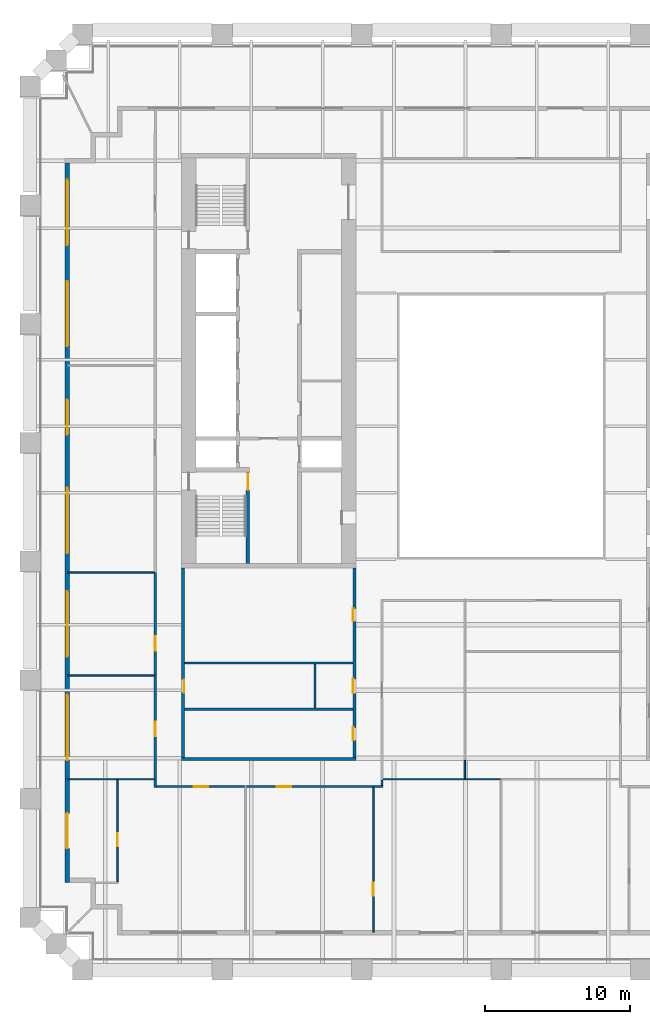
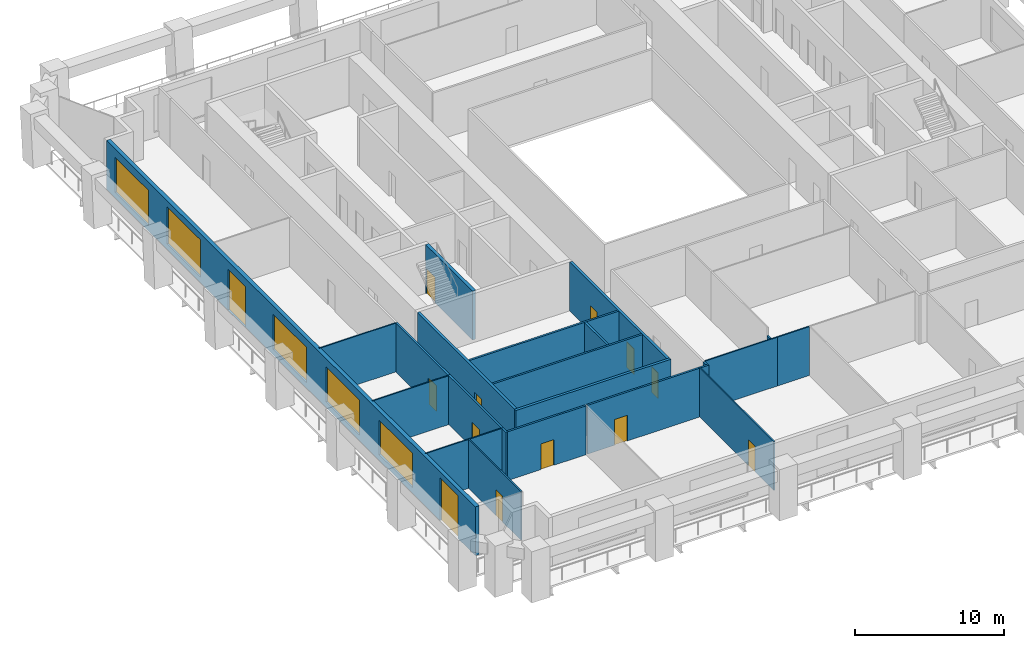
# One storey, part 3 of 9: 24 walls, 13 doors, 5 windows, 18 openings.
"""IFC4 building model written with IfcOpenShell, lengths in metres."""

from ifc_helpers import new_model, si_unit, direction, frame, frame_2d, origin, place, context, subcontext, project, spatial, rectangle, extrude, material, layer, layer_set, type_object, element, fill, save


model = new_model("IFC4")

# Units and contexts
model_context = context("Model", 3, precision=1e-05, world=origin(), true_north=direction((0.0, 1.0)))
body_context = subcontext(model_context, "Body", "Model", "MODEL_VIEW")
ifc_project = project(units=[si_unit("LENGTHUNIT", "METRE"), si_unit("AREAUNIT", "SQUARE_METRE"), si_unit("VOLUMEUNIT", "CUBIC_METRE"), si_unit("PLANEANGLEUNIT", "RADIAN"), si_unit("MASSUNIT", "GRAM", prefix="KILO")], contexts=[model_context])

# Site, building, storey
site_placement = place(None, origin())
site = spatial("IfcSite", under=ifc_project, at=site_placement, CompositionType="ELEMENT")
building_placement = place(site_placement, origin())
building = spatial("IfcBuilding", under=site, at=building_placement, Name="Ogive Exchange Tower", CompositionType="ELEMENT")
storey_placement = place(building_placement, frame((0.0, 0.0, 60.60009765625)))
storey = spatial("IfcBuildingStorey", under=building, at=storey_placement, Name="L12", CompositionType="ELEMENT", Elevation=60.60009765625)

# Walls
ifc_material_1 = material(Name="Gypsum board partition")
ifc_layer_1 = layer(ifc_material_1, 0.14990234375)
ifc_layer_set_1 = layer_set([ifc_layer_1], Name="Core room partition 150 gypsum")
wall_type_1 = type_object("IfcWallType", Name="Core room partition 150 gypsum", PredefinedType="PARTITIONING", material=ifc_layer_set_1)
for number, where, z_axis, x_axis, name in (
    (1, (-21.800048828125, -9.300048828125, 0.0), (0.0, 0.0, 1.0), (1.0, 0.0, 0.0), "W annex S cross wall"),
    (2, (-21.800048828125, -12.47509765625, 0.0), (0.0, 0.0, 1.0), (1.0, 0.0, 0.0), "W annex S wc strip wall 00"),
):
    element("IfcWall", number, at=place(storey_placement, frame(where, z_axis=z_axis, x_axis=x_axis)), inside=storey, type_object=wall_type_1, Name=name, PredefinedType="PARTITIONING", context=body_context, shape_type="SweptSolid", body=[
        extrude(rectangle(XDim=11.60009765625, YDim=0.14990234375, at=frame_2d((5.800048828125, 0.0))), origin(), (0.0, 0.0, 1.0), 4.0),
    ])
wall_1_placement = place(storey_placement, frame((-12.800048828125, -12.39990234375, 0.0), z_axis=(0.0, 0.0, 1.0), x_axis=(0.0, 1.0, 0.0)))
element("IfcWall", 3, at=wall_1_placement, inside=storey, type_object=wall_type_1, Name="W annex S wc partition 00", PredefinedType="PARTITIONING", context=body_context, shape_type="SweptSolid", body=[
    extrude(rectangle(XDim=3.02490234375, YDim=0.14990234375, at=frame_2d((1.512451171875, 0.0))), origin(), (0.0, 0.0, 1.0), 4.0),
])
ifc_material_2 = material(Name="Fire partition EI 60 150")
ifc_layer_2 = layer(ifc_material_2, 0.14990234375)
ifc_layer_set_2 = layer_set([ifc_layer_2], Name="Fire partition EI 60 150")
wall_type_2 = type_object("IfcWallType", Name="Fire partition EI 60 150", PredefinedType="PARTITIONING", material=ifc_layer_set_2)
wall_2_placement = place(storey_placement, frame((-23.800048828125, -17.875, 0.0), z_axis=(0.0, 0.0, 1.0), x_axis=(0.0, 1.0, 0.0)))
element("IfcWall", 4, at=wall_2_placement, inside=storey, type_object=wall_type_2, Name="L12-PWL-004", PredefinedType="PARTITIONING", context=body_context, shape_type="SweptSolid", body=[
    extrude(rectangle(XDim=0.5849609375, YDim=0.14990234375, at=frame_2d((0.29248046875, 0.0))), origin(), (0.0, 0.0, 1.0), 4.0),
])

# Wall, opening, door
wall_3_placement = place(storey_placement, frame((-23.800048828125, -17.2900390625, 0.0), z_axis=(0.0, 0.0, 1.0), x_axis=(0.0, 1.0, 0.0)))
wall_3 = element("IfcWall", 5, at=wall_3_placement, inside=storey, type_object=wall_type_2, Name="L12-PWL-006", PredefinedType="PARTITIONING", context=body_context, shape_type="SweptSolid", body=[
    extrude(rectangle(XDim=7.169921875, YDim=0.14990234375, at=frame_2d((3.5849609375, 0.0))), origin(), (0.0, 0.0, 1.0), 4.0),
])
opening_1_placement = place(wall_3_placement, frame((2.969970703125, 0.0, 0.0)))
opening_1 = element("IfcOpeningElement", 6, at=opening_1_placement, cuts=wall_3, Name="Opening L12-I13", PredefinedType="OPENING", context=body_context, shape_type="SweptSolid", body=[
    extrude(rectangle(XDim=1.0, YDim=2.10009765625, at=frame_2d((0.5, 1.050048828125))), frame((0.0, 0.0849609375, 0.0), z_axis=(0.0, -1.0, 0.0), x_axis=(1.0, 0.0, 0.0)), (0.0, 0.0, 1.0), 0.169921875),
])
ifc_material_3 = material(Name="Fire door FD 30S 1000 x 2100")
door_type_1 = type_object("IfcDoorType", Name="Fire door FD 30S 1000 x 2100", OperationType="NOTDEFINED", PredefinedType="DOOR", material=ifc_material_3)
door_1_placement = place(opening_1_placement, origin())
door_1 = element("IfcDoor", 7, at=door_1_placement, inside=storey, type_object=door_type_1, Name="L12-IDR-013", ObjectType="DT3", OperationType="SINGLE_SWING_LEFT", OverallHeight=2.10009765625, OverallWidth=1.0, PredefinedType="DOOR", context=body_context, shape_type="SweptSolid", body=[
    extrude(rectangle(XDim=1.0, YDim=2.10009765625, at=frame_2d((0.5, 1.050048828125))), frame((0.0, 0.02490234375, 0.0), z_axis=(0.0, -1.0, 0.0), x_axis=(1.0, 0.0, 0.0)), (0.0, 0.0, 1.0), 0.050048828125),
])
fill(opening_1, door_1)

wall_4_placement = place(storey_placement, frame((-23.800048828125, -10.1201171875, 0.0), z_axis=(0.0, 0.0, 1.0), x_axis=(0.0, 1.0, 0.0)))
wall_4 = element("IfcWall", 8, at=wall_4_placement, inside=storey, type_object=wall_type_2, Name="L12-PWL-008", PredefinedType="PARTITIONING", context=body_context, shape_type="SweptSolid", body=[
    extrude(rectangle(XDim=7.06005859375, YDim=0.14990234375, at=frame_2d((3.530029296875, 0.0))), origin(), (0.0, 0.0, 1.0), 4.0),
])
opening_2_placement = place(wall_4_placement, frame((1.659912109375, 0.0, 0.0)))
opening_2 = element("IfcOpeningElement", 9, at=opening_2_placement, cuts=wall_4, Name="Opening L12-I12", PredefinedType="OPENING", context=body_context, shape_type="SweptSolid", body=[
    extrude(rectangle(XDim=1.0, YDim=2.10009765625, at=frame_2d((0.5, 1.050048828125))), frame((0.0, 0.0849609375, 0.0), z_axis=(0.0, -1.0, 0.0), x_axis=(1.0, 0.0, 0.0)), (0.0, 0.0, 1.0), 0.169921875),
])
door_2_placement = place(opening_2_placement, origin())
door_2 = element("IfcDoor", 10, at=door_2_placement, inside=storey, type_object=door_type_1, Name="L12-IDR-012", ObjectType="DT3", OperationType="SINGLE_SWING_RIGHT", OverallHeight=2.10009765625, OverallWidth=1.0, PredefinedType="DOOR", context=body_context, shape_type="SweptSolid", body=[
    extrude(rectangle(XDim=1.0, YDim=2.10009765625, at=frame_2d((0.5, 1.050048828125))), frame((0.0, 0.02490234375, 0.0), z_axis=(0.0, -1.0, 0.0), x_axis=(1.0, 0.0, 0.0)), (0.0, 0.0, 1.0), 0.050048828125),
])
fill(opening_2, door_2)

wall_5_placement = place(storey_placement, frame((-17.64990234375, -17.800048828125, 0.0), z_axis=(0.0, 0.0, 1.0), x_axis=(-1.0, 0.0, 0.0)))
wall_5 = element("IfcWall", 11, at=wall_5_placement, inside=storey, type_object=wall_type_2, Name="L12-PWL-015", PredefinedType="PARTITIONING", context=body_context, shape_type="SweptSolid", body=[
    extrude(rectangle(XDim=6.0751953125, YDim=0.14990234375, at=frame_2d((3.03759765625, 0.0))), origin(), (0.0, 0.0, 1.0), 4.0),
])
opening_3_placement = place(wall_5_placement, frame((2.5, 0.0, 0.0)))
opening_3 = element("IfcOpeningElement", 12, at=opening_3_placement, cuts=wall_5, Name="Opening L12-I20", PredefinedType="OPENING", context=body_context, shape_type="SweptSolid", body=[
    extrude(rectangle(XDim=1.0, YDim=2.10009765625, at=frame_2d((0.5, 1.050048828125))), frame((0.0, 0.0849609375, 0.0), z_axis=(0.0, -1.0, 0.0), x_axis=(1.0, 0.0, 0.0)), (0.0, 0.0, 1.0), 0.169921875),
])
door_3_placement = place(opening_3_placement, origin())
door_3 = element("IfcDoor", 13, at=door_3_placement, inside=storey, type_object=door_type_1, Name="L12-IDR-020", ObjectType="DT3", OperationType="SINGLE_SWING_RIGHT", OverallHeight=2.10009765625, OverallWidth=1.0, PredefinedType="DOOR", context=body_context, shape_type="SweptSolid", body=[
    extrude(rectangle(XDim=1.0, YDim=2.10009765625, at=frame_2d((0.5, 1.050048828125))), frame((0.0, 0.02490234375, 0.0), z_axis=(0.0, -1.0, 0.0), x_axis=(1.0, 0.0, 0.0)), (0.0, 0.0, 1.0), 0.050048828125),
])
fill(opening_3, door_3)

wall_6_placement = place(storey_placement, frame((-8.85009765625, -17.800048828125, 0.0), z_axis=(0.0, 0.0, 1.0), x_axis=(-1.0, 0.0, 0.0)))
wall_6 = element("IfcWall", 14, at=wall_6_placement, inside=storey, type_object=wall_type_2, Name="L12-PWL-017", PredefinedType="PARTITIONING", context=body_context, shape_type="SweptSolid", body=[
    extrude(rectangle(XDim=8.699951171875, YDim=0.14990234375, at=frame_2d((4.35009765625, 0.0))), origin(), (0.0, 0.0, 1.0), 4.0),
])
opening_4_placement = place(wall_6_placement, frame((5.60009765625, 0.0, 0.0)))
opening_4 = element("IfcOpeningElement", 15, at=opening_4_placement, cuts=wall_6, Name="Opening L12-I19", PredefinedType="OPENING", context=body_context, shape_type="SweptSolid", body=[
    extrude(rectangle(XDim=1.0, YDim=2.10009765625, at=frame_2d((0.5, 1.050048828125))), frame((0.0, 0.0849609375, 0.0), z_axis=(0.0, -1.0, 0.0), x_axis=(1.0, 0.0, 0.0)), (0.0, 0.0, 1.0), 0.169921875),
])
door_4_placement = place(opening_4_placement, origin())
door_4 = element("IfcDoor", 16, at=door_4_placement, inside=storey, type_object=door_type_1, Name="L12-IDR-019", ObjectType="DT3", OperationType="SINGLE_SWING_LEFT", OverallHeight=2.10009765625, OverallWidth=1.0, PredefinedType="DOOR", context=body_context, shape_type="SweptSolid", body=[
    extrude(rectangle(XDim=1.0, YDim=2.10009765625, at=frame_2d((0.5, 1.050048828125))), frame((0.0, 0.02490234375, 0.0), z_axis=(0.0, -1.0, 0.0), x_axis=(1.0, 0.0, 0.0)), (0.0, 0.0, 1.0), 0.050048828125),
])
fill(opening_4, door_4)

# Walls
wall_7_placement = place(storey_placement, frame((-8.125, -17.800048828125, 0.0), z_axis=(0.0, 0.0, 1.0), x_axis=(-1.0, 0.0, 0.0)))
element("IfcWall", 17, at=wall_7_placement, inside=storey, type_object=wall_type_2, Name="L12-PWL-019", PredefinedType="PARTITIONING", context=body_context, shape_type="SweptSolid", body=[
    extrude(rectangle(XDim=0.625, YDim=0.14990234375, at=frame_2d((0.3125, 0.0))), origin(), (0.0, 0.0, 1.0), 4.0),
])
wall_8_placement = place(storey_placement, frame((-8.199951171875, -17.340087890625, 0.0), z_axis=(0.0, 0.0, 1.0), x_axis=(0.0, -1.0, 0.0)))
element("IfcWall", 18, at=wall_8_placement, inside=storey, type_object=wall_type_2, Name="L12-PWL-020", PredefinedType="PARTITIONING", context=body_context, shape_type="SweptSolid", body=[
    extrude(rectangle(XDim=0.385009765625, YDim=0.14990234375, at=frame_2d((0.1923828125, 0.0))), origin(), (0.0, 0.0, 1.0), 4.0),
])

# Wall, openings, doors, windows
ifc_material_4 = material(Name="Precast concrete C40/50", Category="concrete")
ifc_layer_3 = layer(ifc_material_4, 0.300048828125)
ifc_layer_set_3 = layer_set([ifc_layer_3], Name="Limestone-faced wall 300")
wall_type_3 = type_object("IfcWallType", Name="Limestone-faced wall 300", PredefinedType="STANDARD", material=ifc_layer_set_3)
wall_9_placement = place(storey_placement, frame((-29.85009765625, 25.10009765625, 0.0), z_axis=(0.0, 0.0, 1.0), x_axis=(0.0, -1.0, 0.0)))
wall_9 = element("IfcWall", 19, at=wall_9_placement, inside=storey, type_object=wall_type_3, Name="External wall W4", PredefinedType="STANDARD", context=body_context, shape_type="SweptSolid", body=[
    extrude(rectangle(XDim=49.5, YDim=0.300048828125, at=frame_2d((24.75, 0.0))), origin(), (0.0, 0.0, 1.0), 4.0),
])
opening_5_placement = place(wall_9_placement, frame((1.156982421875, 0.0, 0.449951171875)))
opening_5 = element("IfcOpeningElement", 20, at=opening_5_placement, cuts=wall_9, Name="Opening W1D", PredefinedType="OPENING", context=body_context, shape_type="SweptSolid", body=[
    extrude(rectangle(XDim=4.5, YDim=2.875, at=frame_2d((2.25, 1.4375))), frame((0.0, 0.159912109375, 0.0), z_axis=(0.0, -1.0, 0.0), x_axis=(1.0, 0.0, 0.0)), (0.0, 0.0, 1.0), 0.320068359375),
])
opening_6_placement = place(wall_9_placement, frame((8.121337890625, 0.0, 0.449951171875)))
opening_6 = element("IfcOpeningElement", 21, at=opening_6_placement, cuts=wall_9, Name="Opening W1", PredefinedType="OPENING", context=body_context, shape_type="SweptSolid", body=[
    extrude(rectangle(XDim=4.5, YDim=3.050048828125, at=frame_2d((2.25, 1.52490234375))), frame((0.0, 0.159912109375, 0.0), z_axis=(0.0, -1.0, 0.0), x_axis=(1.0, 0.0, 0.0)), (0.0, 0.0, 1.0), 0.320068359375),
])
opening_7_placement = place(wall_9_placement, frame((16.28564453125, 0.0, 0.0)))
opening_7 = element("IfcOpeningElement", 22, at=opening_7_placement, cuts=wall_9, Name="Opening D1C", PredefinedType="OPENING", context=body_context, shape_type="SweptSolid", body=[
    extrude(rectangle(XDim=2.39990234375, YDim=3.324951171875, at=frame_2d((1.199951171875, 1.66259765625))), frame((0.0, 0.159912109375, 0.0), z_axis=(0.0, -1.0, 0.0), x_axis=(1.0, 0.0, 0.0)), (0.0, 0.0, 1.0), 0.320068359375),
])
opening_8_placement = place(wall_9_placement, frame((22.35009765625, 0.0, 0.449951171875)))
opening_8 = element("IfcOpeningElement", 23, at=opening_8_placement, cuts=wall_9, Name="Opening W1D", PredefinedType="OPENING", context=body_context, shape_type="SweptSolid", body=[
    extrude(rectangle(XDim=4.5, YDim=2.875, at=frame_2d((2.25, 1.4375))), frame((0.0, 0.159912109375, 0.0), z_axis=(0.0, -1.0, 0.0), x_axis=(1.0, 0.0, 0.0)), (0.0, 0.0, 1.0), 0.320068359375),
])
opening_9_placement = place(wall_9_placement, frame((29.464111328125, 0.0, 0.449951171875)))
opening_9 = element("IfcOpeningElement", 24, at=opening_9_placement, cuts=wall_9, Name="Opening W1D", PredefinedType="OPENING", context=body_context, shape_type="SweptSolid", body=[
    extrude(rectangle(XDim=4.5, YDim=2.875, at=frame_2d((2.25, 1.4375))), frame((0.0, 0.159912109375, 0.0), z_axis=(0.0, -1.0, 0.0), x_axis=(1.0, 0.0, 0.0)), (0.0, 0.0, 1.0), 0.320068359375),
])
opening_10_placement = place(wall_9_placement, frame((36.57861328125, 0.0, 0.449951171875)))
opening_10 = element("IfcOpeningElement", 25, at=opening_10_placement, cuts=wall_9, Name="Opening W1E", PredefinedType="OPENING", context=body_context, shape_type="SweptSolid", body=[
    extrude(rectangle(XDim=4.5, YDim=2.824951171875, at=frame_2d((2.25, 1.41259765625))), frame((0.0, 0.159912109375, 0.0), z_axis=(0.0, -1.0, 0.0), x_axis=(1.0, 0.0, 0.0)), (0.0, 0.0, 1.0), 0.320068359375),
])
opening_11_placement = place(wall_9_placement, frame((44.742919921875, 0.0, 0.0)))
opening_11 = element("IfcOpeningElement", 26, at=opening_11_placement, cuts=wall_9, Name="Opening D1", PredefinedType="OPENING", context=body_context, shape_type="SweptSolid", body=[
    extrude(rectangle(XDim=2.39990234375, YDim=3.5, at=frame_2d((1.199951171875, 1.75))), frame((0.0, 0.159912109375, 0.0), z_axis=(0.0, -1.0, 0.0), x_axis=(1.0, 0.0, 0.0)), (0.0, 0.0, 1.0), 0.320068359375),
])
ifc_material_5 = material(Name="Clear glass in bronze frame", Category="glass")
door_type_2 = type_object("IfcDoorType", Name="Sliding loggia door 2400 x 3325", OperationType="DOUBLE_DOOR_SLIDING", PredefinedType="DOOR", material=ifc_material_5)
door_5_placement = place(opening_7_placement, origin())
door_5 = element("IfcDoor", 27, at=door_5_placement, inside=storey, type_object=door_type_2, Name="Loggia door W02", OperationType="DOUBLE_DOOR_SLIDING", OverallHeight=3.324951171875, OverallWidth=2.39990234375, PredefinedType="DOOR", context=body_context, shape_type="SweptSolid", body=[
    extrude(rectangle(XDim=2.39990234375, YDim=3.324951171875, at=frame_2d((1.199951171875, 1.66259765625))), frame((0.0, 0.02490234375, 0.0), z_axis=(0.0, -1.0, 0.0), x_axis=(1.0, 0.0, 0.0)), (0.0, 0.0, 1.0), 0.050048828125),
])
fill(opening_7, door_5)
door_type_3 = type_object("IfcDoorType", Name="Sliding loggia door 2400 x 3500", OperationType="DOUBLE_DOOR_SLIDING", PredefinedType="DOOR", material=ifc_material_5)
door_6_placement = place(opening_11_placement, origin())
door_6 = element("IfcDoor", 28, at=door_6_placement, inside=storey, type_object=door_type_3, Name="Loggia door W06", OperationType="DOUBLE_DOOR_SLIDING", OverallHeight=3.5, OverallWidth=2.39990234375, PredefinedType="DOOR", context=body_context, shape_type="SweptSolid", body=[
    extrude(rectangle(XDim=2.39990234375, YDim=3.5, at=frame_2d((1.199951171875, 1.75))), frame((0.0, 0.02490234375, 0.0), z_axis=(0.0, -1.0, 0.0), x_axis=(1.0, 0.0, 0.0)), (0.0, 0.0, 1.0), 0.050048828125),
])
fill(opening_11, door_6)
window_type_1 = type_object("IfcWindowType", Name="Twin lancet window 4500 x 2825", PartitioningType="DOUBLE_PANEL_VERTICAL", PredefinedType="WINDOW", material=ifc_material_5)
window_1_placement = place(opening_10_placement, origin())
window_1 = element("IfcWindow", 29, at=window_1_placement, inside=storey, type_object=window_type_1, Name="Window W05", OverallHeight=2.824951171875, OverallWidth=4.5, PartitioningType="DOUBLE_PANEL_VERTICAL", PredefinedType="WINDOW", context=body_context, shape_type="SweptSolid", body=[
    extrude(rectangle(XDim=4.5, YDim=2.824951171875, at=frame_2d((2.25, 1.41259765625))), frame((0.0, 0.030029296875, 0.0), z_axis=(0.0, -1.0, 0.0), x_axis=(1.0, 0.0, 0.0)), (0.0, 0.0, 1.0), 0.06005859375),
])
fill(opening_10, window_1)
window_type_2 = type_object("IfcWindowType", Name="Twin lancet window 4500 x 2875", PartitioningType="DOUBLE_PANEL_VERTICAL", PredefinedType="WINDOW", material=ifc_material_5)
window_2_placement = place(opening_5_placement, origin())
window_2 = element("IfcWindow", 30, at=window_2_placement, inside=storey, type_object=window_type_2, Name="Window W00", OverallHeight=2.875, OverallWidth=4.5, PartitioningType="DOUBLE_PANEL_VERTICAL", PredefinedType="WINDOW", context=body_context, shape_type="SweptSolid", body=[
    extrude(rectangle(XDim=4.5, YDim=2.875, at=frame_2d((2.25, 1.4375))), frame((0.0, 0.030029296875, 0.0), z_axis=(0.0, -1.0, 0.0), x_axis=(1.0, 0.0, 0.0)), (0.0, 0.0, 1.0), 0.06005859375),
])
fill(opening_5, window_2)
window_3_placement = place(opening_8_placement, origin())
window_3 = element("IfcWindow", 31, at=window_3_placement, inside=storey, type_object=window_type_2, Name="Window W03", OverallHeight=2.875, OverallWidth=4.5, PartitioningType="DOUBLE_PANEL_VERTICAL", PredefinedType="WINDOW", context=body_context, shape_type="SweptSolid", body=[
    extrude(rectangle(XDim=4.5, YDim=2.875, at=frame_2d((2.25, 1.4375))), frame((0.0, 0.030029296875, 0.0), z_axis=(0.0, -1.0, 0.0), x_axis=(1.0, 0.0, 0.0)), (0.0, 0.0, 1.0), 0.06005859375),
])
fill(opening_8, window_3)
window_4_placement = place(opening_9_placement, origin())
window_4 = element("IfcWindow", 32, at=window_4_placement, inside=storey, type_object=window_type_2, Name="Window W04", OverallHeight=2.875, OverallWidth=4.5, PartitioningType="DOUBLE_PANEL_VERTICAL", PredefinedType="WINDOW", context=body_context, shape_type="SweptSolid", body=[
    extrude(rectangle(XDim=4.5, YDim=2.875, at=frame_2d((2.25, 1.4375))), frame((0.0, 0.030029296875, 0.0), z_axis=(0.0, -1.0, 0.0), x_axis=(1.0, 0.0, 0.0)), (0.0, 0.0, 1.0), 0.06005859375),
])
fill(opening_9, window_4)
window_type_3 = type_object("IfcWindowType", Name="Twin lancet window 4500 x 3050", PartitioningType="DOUBLE_PANEL_VERTICAL", PredefinedType="WINDOW", material=ifc_material_5)
window_5_placement = place(opening_6_placement, origin())
window_5 = element("IfcWindow", 33, at=window_5_placement, inside=storey, type_object=window_type_3, Name="Window W01", OverallHeight=3.050048828125, OverallWidth=4.5, PartitioningType="DOUBLE_PANEL_VERTICAL", PredefinedType="WINDOW", context=body_context, shape_type="SweptSolid", body=[
    extrude(rectangle(XDim=4.5, YDim=3.050048828125, at=frame_2d((2.25, 1.52490234375))), frame((0.0, 0.030029296875, 0.0), z_axis=(0.0, -1.0, 0.0), x_axis=(1.0, 0.0, 0.0)), (0.0, 0.0, 1.0), 0.06005859375),
])
fill(opening_6, window_5)

# Wall, opening, door
ifc_material_6 = material(Name="Partition 100 gypsum")
ifc_layer_4 = layer(ifc_material_6, 0.10009765625)
ifc_layer_set_4 = layer_set([ifc_layer_4], Name="Partition 100 gypsum")
wall_type_4 = type_object("IfcWallType", Name="Partition 100 gypsum", PredefinedType="PARTITIONING", material=ifc_layer_set_4)
wall_10_placement = place(storey_placement, frame((-26.39990234375, -24.360107421875, 0.0), z_axis=(0.0, 0.0, 1.0), x_axis=(0.0, 1.0, 0.0)))
wall_10 = element("IfcWall", 34, at=wall_10_placement, inside=storey, type_object=wall_type_4, Name="L12-PWL-002", PredefinedType="PARTITIONING", context=body_context, shape_type="SweptSolid", body=[
    extrude(rectangle(XDim=7.1201171875, YDim=0.10009765625, at=frame_2d((3.56005859375, 0.0))), origin(), (0.0, 0.0, 1.0), 4.0),
])
opening_12_placement = place(wall_10_placement, frame((2.469970703125, 0.0, 0.0)))
opening_12 = element("IfcOpeningElement", 35, at=opening_12_placement, cuts=wall_10, Name="Opening L12-I21", PredefinedType="OPENING", context=body_context, shape_type="SweptSolid", body=[
    extrude(rectangle(XDim=0.89990234375, YDim=2.10009765625, at=frame_2d((0.449951171875, 1.050048828125))), frame((0.0, 0.06005859375, 0.0), z_axis=(0.0, -1.0, 0.0), x_axis=(1.0, 0.0, 0.0)), (0.0, 0.0, 1.0), 0.1201171875),
])
ifc_material_7 = material(Name="Door 900 x 2100")
door_type_4 = type_object("IfcDoorType", Name="Door 900 x 2100", OperationType="NOTDEFINED", PredefinedType="DOOR", material=ifc_material_7)
door_7_placement = place(opening_12_placement, origin())
door_7 = element("IfcDoor", 36, at=door_7_placement, inside=storey, type_object=door_type_4, Name="L12-IDR-021", ObjectType="DT1", OperationType="SINGLE_SWING_RIGHT", OverallHeight=2.10009765625, OverallWidth=0.89990234375, PredefinedType="DOOR", context=body_context, shape_type="SweptSolid", body=[
    extrude(rectangle(XDim=0.89990234375, YDim=2.10009765625, at=frame_2d((0.449951171875, 1.050048828125))), frame((0.0, 0.02490234375, 0.0), z_axis=(0.0, -1.0, 0.0), x_axis=(1.0, 0.0, 0.0)), (0.0, 0.0, 1.0), 0.050048828125),
])
fill(opening_12, door_7)

# Walls
wall_11_placement = place(storey_placement, frame((-26.449951171875, -17.2900390625, 0.0), z_axis=(0.0, 0.0, 1.0), x_axis=(-1.0, 0.0, 0.0)))
element("IfcWall", 37, at=wall_11_placement, inside=storey, type_object=wall_type_4, Name="L12-PWL-003", PredefinedType="PARTITIONING", context=body_context, shape_type="SweptSolid", body=[
    extrude(rectangle(XDim=3.35009765625, YDim=0.10009765625, at=frame_2d((1.675048828125, 0.0))), origin(), (0.0, 0.0, 1.0), 4.0),
])
wall_12_placement = place(storey_placement, frame((-23.875, -17.2900390625, 0.0), z_axis=(0.0, 0.0, 1.0), x_axis=(-1.0, 0.0, 0.0)))
element("IfcWall", 38, at=wall_12_placement, inside=storey, type_object=wall_type_4, Name="L12-PWL-005", PredefinedType="PARTITIONING", context=body_context, shape_type="SweptSolid", body=[
    extrude(rectangle(XDim=2.47509765625, YDim=0.10009765625, at=frame_2d((1.237548828125, 0.0))), origin(), (0.0, 0.0, 1.0), 4.0),
])
for number, where, z_axis, x_axis, name in (
    (39, (-23.875, -10.169921875, 0.0), (0.0, 0.0, 1.0), (-1.0, 0.0, 0.0), "L12-PWL-007"),
    (40, (-23.875, -3.06005859375, 0.0), (0.0, 0.0, 1.0), (-1.0, 0.0, 0.0), "L12-PWL-009"),
):
    element("IfcWall", number, at=place(storey_placement, frame(where, z_axis=z_axis, x_axis=x_axis)), inside=storey, type_object=wall_type_4, Name=name, PredefinedType="PARTITIONING", context=body_context, shape_type="SweptSolid", body=[
        extrude(rectangle(XDim=5.925048828125, YDim=0.10009765625, at=frame_2d((2.96240234375, 0.0))), origin(), (0.0, 0.0, 1.0), 4.0),
    ])

# Wall, opening, door
wall_13_placement = place(storey_placement, frame((-8.800048828125, -27.800048828125, 0.0), z_axis=(0.0, 0.0, 1.0), x_axis=(0.0, 1.0, 0.0)))
wall_13 = element("IfcWall", 41, at=wall_13_placement, inside=storey, type_object=wall_type_4, Name="L12-PWL-016", PredefinedType="PARTITIONING", context=body_context, shape_type="SweptSolid", body=[
    extrude(rectangle(XDim=10.074951171875, YDim=0.10009765625, at=frame_2d((5.03759765625, 0.0))), origin(), (0.0, 0.0, 1.0), 4.0),
])
opening_13_placement = place(wall_13_placement, frame((2.5, 0.0, 0.0)))
opening_13 = element("IfcOpeningElement", 42, at=opening_13_placement, cuts=wall_13, Name="Opening L12-I18", PredefinedType="OPENING", context=body_context, shape_type="SweptSolid", body=[
    extrude(rectangle(XDim=0.89990234375, YDim=2.10009765625, at=frame_2d((0.449951171875, 1.050048828125))), frame((0.0, 0.06005859375, 0.0), z_axis=(0.0, -1.0, 0.0), x_axis=(1.0, 0.0, 0.0)), (0.0, 0.0, 1.0), 0.1201171875),
])
door_8_placement = place(opening_13_placement, origin())
door_8 = element("IfcDoor", 43, at=door_8_placement, inside=storey, type_object=door_type_4, Name="L12-IDR-018", ObjectType="DT1", OperationType="SINGLE_SWING_RIGHT", OverallHeight=2.10009765625, OverallWidth=0.89990234375, PredefinedType="DOOR", context=body_context, shape_type="SweptSolid", body=[
    extrude(rectangle(XDim=0.89990234375, YDim=2.10009765625, at=frame_2d((0.449951171875, 1.050048828125))), frame((0.0, 0.02490234375, 0.0), z_axis=(0.0, -1.0, 0.0), x_axis=(1.0, 0.0, 0.0)), (0.0, 0.0, 1.0), 0.050048828125),
])
fill(opening_13, door_8)

# Walls
wall_14_placement = place(storey_placement, frame((-2.449951171875, -17.2900390625, 0.0), z_axis=(0.0, 0.0, 1.0), x_axis=(-1.0, 0.0, 0.0)))
element("IfcWall", 44, at=wall_14_placement, inside=storey, type_object=wall_type_4, Name="L12-PWL-026", PredefinedType="PARTITIONING", context=body_context, shape_type="SweptSolid", body=[
    extrude(rectangle(XDim=5.675048828125, YDim=0.10009765625, at=frame_2d((2.83740234375, 0.0))), origin(), (0.0, 0.0, 1.0), 4.0),
])
wall_15_placement = place(storey_placement, frame((-2.5, -17.239990234375, 0.0), z_axis=(0.0, 0.0, 1.0), x_axis=(0.0, 1.0, 0.0)))
element("IfcWall", 45, at=wall_15_placement, inside=storey, type_object=wall_type_4, Name="L12-PWL-027", PredefinedType="PARTITIONING", context=body_context, shape_type="SweptSolid", body=[
    extrude(rectangle(XDim=1.244873046875, YDim=0.10009765625, at=frame_2d((0.62255859375, 0.0))), origin(), (0.0, 0.0, 1.0), 3.322021484375),
])
wall_16_placement = place(storey_placement, frame((-0.050048828125, -17.2900390625, 0.0), z_axis=(0.0, 0.0, 1.0), x_axis=(-1.0, 0.0, 0.0)))
element("IfcWall", 46, at=wall_16_placement, inside=storey, type_object=wall_type_4, Name="L12-PWL-032", PredefinedType="PARTITIONING", context=body_context, shape_type="SweptSolid", body=[
    extrude(rectangle(XDim=2.449951171875, YDim=0.10009765625, at=frame_2d((1.22509765625, 0.0))), origin(), (0.0, 0.0, 1.0), 4.0),
])

# Wall, opening, door
ifc_material_8 = material(Name="Concrete C70/85", Category="concrete")
ifc_layer_5 = layer(ifc_material_8, 0.199951171875)
ifc_layer_set_5 = layer_set([ifc_layer_5], Name="RC core wall 200 C70/85")
wall_type_5 = type_object("IfcWallType", Name="RC core wall 200 C70/85", PredefinedType="SHEAR", material=ifc_layer_set_5)
wall_17_placement = place(storey_placement, frame((-21.89990234375, -15.800048828125, 0.0), z_axis=(0.0, 0.0, 1.0), x_axis=(0.0, 1.0, 0.0)))
wall_17 = element("IfcWall", 47, at=wall_17_placement, inside=storey, type_object=wall_type_5, Name="W annex S outer wall", PredefinedType="SHEAR", context=body_context, shape_type="SweptSolid", body=[
    extrude(rectangle(XDim=13.050048828125, YDim=0.199951171875, at=frame_2d((6.52490234375, 0.0))), origin(), (0.0, 0.0, 1.0), 4.0),
])
opening_14_placement = place(wall_17_placement, frame((4.46240234375, 0.0, 0.0)))
opening_14 = element("IfcOpeningElement", 48, at=opening_14_placement, cuts=wall_17, Name="Opening L12-C20", PredefinedType="OPENING", context=body_context, shape_type="SweptSolid", body=[
    extrude(rectangle(XDim=0.89990234375, YDim=2.10009765625, at=frame_2d((0.449951171875, 1.050048828125))), frame((0.0, 0.10986328125, 0.0), z_axis=(0.0, -1.0, 0.0), x_axis=(1.0, 0.0, 0.0)), (0.0, 0.0, 1.0), 0.219970703125),
])
ifc_material_9 = material(Name="Timber fire door", Category="wood")
door_type_5 = type_object("IfcDoorType", Name="Core room door FD30S 900 x 2100", OperationType="NOTDEFINED", PredefinedType="DOOR", material=ifc_material_9)
door_9_placement = place(opening_14_placement, frame((0.89990234375, -0.14990234375, 0.0), z_axis=(0.0, 0.0, 1.0), x_axis=(-1.0, 0.0, 0.0)))
door_9 = element("IfcDoor", 49, at=door_9_placement, inside=storey, type_object=door_type_5, Name="Core room door", ObjectType="CD6", OperationType="SINGLE_SWING_LEFT", OverallHeight=2.10009765625, OverallWidth=0.89990234375, PredefinedType="DOOR", context=body_context, shape_type="SweptSolid", body=[
    extrude(rectangle(XDim=0.89990234375, YDim=2.10009765625, at=frame_2d((0.449951171875, 1.050048828125))), frame((0.0, -0.0498046875, 0.0), z_axis=(0.0, -1.0, 0.0), x_axis=(1.0, 0.0, 0.0)), (0.0, 0.0, 1.0), 0.050048828125),
])
fill(opening_14, door_9)

# Wall, openings, doors
wall_18_placement = place(storey_placement, frame((-10.10009765625, -15.800048828125, 0.0), z_axis=(0.0, 0.0, 1.0), x_axis=(0.0, 1.0, 0.0)))
wall_18 = element("IfcWall", 50, at=wall_18_placement, inside=storey, type_object=wall_type_5, Name="W annex S inner wall", PredefinedType="SHEAR", context=body_context, shape_type="SweptSolid", body=[
    extrude(rectangle(XDim=13.050048828125, YDim=0.199951171875, at=frame_2d((6.52490234375, 0.0))), origin(), (0.0, 0.0, 1.0), 4.0),
])
opening_15_placement = place(wall_18_placement, frame((1.175048828125, 0.0, 0.0)))
opening_15 = element("IfcOpeningElement", 51, at=opening_15_placement, cuts=wall_18, Name="Opening L12-C18", PredefinedType="OPENING", context=body_context, shape_type="SweptSolid", body=[
    extrude(rectangle(XDim=0.89990234375, YDim=2.10009765625, at=frame_2d((0.449951171875, 1.050048828125))), frame((0.0, 0.10986328125, 0.0), z_axis=(0.0, -1.0, 0.0), x_axis=(1.0, 0.0, 0.0)), (0.0, 0.0, 1.0), 0.219970703125),
])
opening_16_placement = place(wall_18_placement, frame((4.41259765625, 0.0, 0.0)))
opening_16 = element("IfcOpeningElement", 52, at=opening_16_placement, cuts=wall_18, Name="Opening L12-C19", PredefinedType="OPENING", context=body_context, shape_type="SweptSolid", body=[
    extrude(rectangle(XDim=1.0, YDim=2.10009765625, at=frame_2d((0.5, 1.050048828125))), frame((0.0, 0.10986328125, 0.0), z_axis=(0.0, -1.0, 0.0), x_axis=(1.0, 0.0, 0.0)), (0.0, 0.0, 1.0), 0.219970703125),
])
opening_17_placement = place(wall_18_placement, frame((9.362548828125, 0.0, 0.0)))
opening_17 = element("IfcOpeningElement", 53, at=opening_17_placement, cuts=wall_18, Name="Opening L12-C21", PredefinedType="OPENING", context=body_context, shape_type="SweptSolid", body=[
    extrude(rectangle(XDim=0.89990234375, YDim=2.10009765625, at=frame_2d((0.449951171875, 1.050048828125))), frame((0.0, 0.10986328125, 0.0), z_axis=(0.0, -1.0, 0.0), x_axis=(1.0, 0.0, 0.0)), (0.0, 0.0, 1.0), 0.219970703125),
])
door_type_6 = type_object("IfcDoorType", Name="Accessible WC door FD30S 1000 x 2100", OperationType="NOTDEFINED", PredefinedType="DOOR", material=ifc_material_9)
door_10_placement = place(opening_16_placement, origin())
door_10 = element("IfcDoor", 54, at=door_10_placement, inside=storey, type_object=door_type_6, Name="Accessible WC door", ObjectType="CD7", OperationType="SINGLE_SWING_LEFT", OverallHeight=2.10009765625, OverallWidth=1.0, PredefinedType="DOOR", context=body_context, shape_type="SweptSolid", body=[
    extrude(rectangle(XDim=1.0, YDim=2.10009765625, at=frame_2d((0.5, 1.050048828125))), frame((0.0, 0.10009765625, 0.0), z_axis=(0.0, -1.0, 0.0), x_axis=(1.0, 0.0, 0.0)), (0.0, 0.0, 1.0), 0.050048828125),
])
fill(opening_16, door_10)
ifc_material_10 = material(Name="Steel fire door", Category="steel")
door_type_7 = type_object("IfcDoorType", Name="Riser door FD60 900 x 2100", OperationType="NOTDEFINED", PredefinedType="DOOR", material=ifc_material_10)
door_11_placement = place(opening_15_placement, origin())
door_11 = element("IfcDoor", 55, at=door_11_placement, inside=storey, type_object=door_type_7, Name="Riser door", ObjectType="CD2", OperationType="SINGLE_SWING_LEFT", OverallHeight=2.10009765625, OverallWidth=0.89990234375, PredefinedType="DOOR", context=body_context, shape_type="SweptSolid", body=[
    extrude(rectangle(XDim=0.89990234375, YDim=2.10009765625, at=frame_2d((0.449951171875, 1.050048828125))), frame((0.0, 0.10009765625, 0.0), z_axis=(0.0, -1.0, 0.0), x_axis=(1.0, 0.0, 0.0)), (0.0, 0.0, 1.0), 0.050048828125),
])
fill(opening_15, door_11)
door_12_placement = place(opening_17_placement, origin())
door_12 = element("IfcDoor", 56, at=door_12_placement, inside=storey, type_object=door_type_7, Name="Riser door", ObjectType="CD2", OperationType="SINGLE_SWING_RIGHT", OverallHeight=2.10009765625, OverallWidth=0.89990234375, PredefinedType="DOOR", context=body_context, shape_type="SweptSolid", body=[
    extrude(rectangle(XDim=0.89990234375, YDim=2.10009765625, at=frame_2d((0.449951171875, 1.050048828125))), frame((0.0, 0.10009765625, 0.0), z_axis=(0.0, -1.0, 0.0), x_axis=(1.0, 0.0, 0.0)), (0.0, 0.0, 1.0), 0.050048828125),
])
fill(opening_17, door_12)

# Wall
wall_19_placement = place(storey_placement, frame((-22.0, -15.89990234375, 0.0), z_axis=(0.0, 0.0, 1.0), x_axis=(1.0, 0.0, 0.0)))
element("IfcWall", 57, at=wall_19_placement, inside=storey, type_object=wall_type_5, Name="W annex S end wall", PredefinedType="SHEAR", context=body_context, shape_type="SweptSolid", body=[
    extrude(rectangle(XDim=12.0, YDim=0.199951171875, at=frame_2d((6.0, 0.0))), origin(), (0.0, 0.0, 1.0), 4.0),
])

# Wall, opening, door
ifc_layer_6 = layer(ifc_material_8, 0.25)
ifc_layer_set_6 = layer_set([ifc_layer_6], Name="RC core wall 250 C70/85")
wall_type_6 = type_object("IfcWallType", Name="RC core wall 250 C70/85", PredefinedType="SHEAR", material=ifc_layer_set_6)
wall_20_placement = place(storey_placement, frame((-17.425048828125, -2.449951171875, 0.0), z_axis=(0.0, 0.0, 1.0), x_axis=(0.0, 1.0, 0.0)))
wall_20 = element("IfcWall", 58, at=wall_20_placement, inside=storey, type_object=wall_type_6, Name="W stair S front wall", PredefinedType="SHEAR", context=body_context, shape_type="SweptSolid", body=[
    extrude(rectangle(XDim=6.300048828125, YDim=0.25, at=frame_2d((3.14990234375, 0.0))), origin(), (0.0, 0.0, 1.0), 4.0),
])
opening_18_placement = place(wall_20_placement, frame((5.050048828125, 0.0, 0.0)))
opening_18 = element("IfcOpeningElement", 59, at=opening_18_placement, cuts=wall_20, Name="Opening L12-C13", PredefinedType="OPENING", context=body_context, shape_type="SweptSolid", body=[
    extrude(rectangle(XDim=1.199951171875, YDim=2.10009765625, at=frame_2d((0.60009765625, 1.050048828125))), frame((0.0, 0.135009765625, 0.0), z_axis=(0.0, -1.0, 0.0), x_axis=(1.0, 0.0, 0.0)), (0.0, 0.0, 1.0), 0.27001953125),
])
door_type_8 = type_object("IfcDoorType", Name="Stair door FD90 1200 x 2100", OperationType="NOTDEFINED", PredefinedType="DOOR", material=ifc_material_10)
door_13_placement = place(opening_18_placement, origin())
door_13 = element("IfcDoor", 60, at=door_13_placement, inside=storey, type_object=door_type_8, Name="Stair door", ObjectType="CD5", OperationType="SINGLE_SWING_LEFT", OverallHeight=2.10009765625, OverallWidth=1.199951171875, PredefinedType="DOOR", context=body_context, shape_type="SweptSolid", body=[
    extrude(rectangle(XDim=1.199951171875, YDim=2.10009765625, at=frame_2d((0.60009765625, 1.050048828125))), frame((0.0, 0.02490234375, 0.0), z_axis=(0.0, -1.0, 0.0), x_axis=(1.0, 0.0, 0.0)), (0.0, 0.0, 1.0), 0.050048828125),
])
fill(opening_18, door_13)

save(model, "model.ifc")
